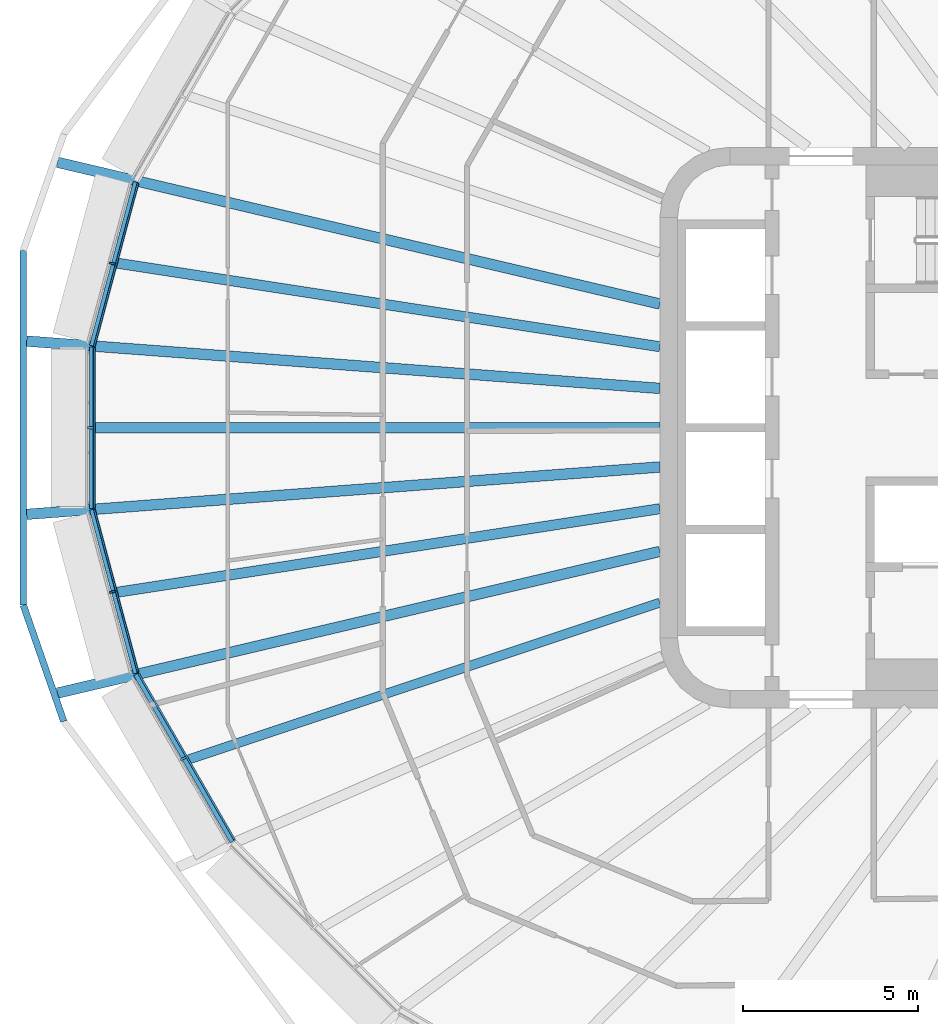
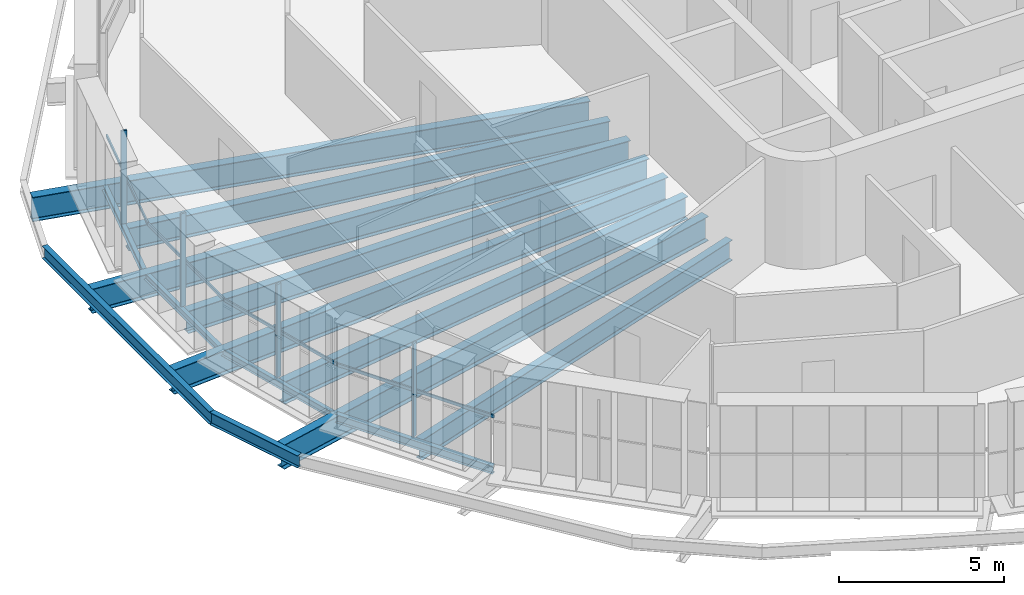
# One storey, part 2 of 23: 14 beams, 8 members, 4 elements without a shape of their own.
"""IFC4 building model written with IfcOpenShell, lengths in metres."""

from ifc_helpers import new_model, si_unit, direction, frame, origin, origin_2d, place, context, subcontext, project, spatial, rectangle, i_section, extrude, material, layer, layer_set, material_profile, profile_set, type_object, element, aggregate, save


model = new_model("IFC4")

# Units and contexts
model_context = context("Model", 3, precision=1e-05, world=origin(), true_north=direction((0.0, 1.0)))
body_context = subcontext(model_context, "Body", "Model", "MODEL_VIEW")
ifc_project = project(units=[si_unit("LENGTHUNIT", "METRE"), si_unit("AREAUNIT", "SQUARE_METRE"), si_unit("VOLUMEUNIT", "CUBIC_METRE"), si_unit("PLANEANGLEUNIT", "RADIAN"), si_unit("MASSUNIT", "GRAM", prefix="KILO")], contexts=[model_context])

# Site, building, storey
site_placement = place(None, origin())
site = spatial("IfcSite", under=ifc_project, at=site_placement, CompositionType="ELEMENT")
building_placement = place(site_placement, origin())
building = spatial("IfcBuilding", under=site, at=building_placement, Name="Sahrelin Media Tower", CompositionType="ELEMENT")
storey_placement = place(building_placement, frame((0.0, 0.0, 161.60009765625)))
storey = spatial("IfcBuildingStorey", under=building, at=storey_placement, Name="L33", CompositionType="ELEMENT", Elevation=161.60009765625)

# Beams
ifc_material_1 = material(Name="Steel S355", Category="steel")
ifc_material_profile_1 = material_profile(ifc_material_1, i_section(OverallWidth=0.14599609375, OverallDepth=0.25146484375, WebThickness=0.006103515625, FlangeThickness=0.008544921875, FilletRadius=0.007568359375, at=origin_2d()), Name="UB 254x146x31")
ifc_profile_set_1 = profile_set([ifc_material_profile_1], Name="Steel S355")
beam_type_1 = type_object("IfcBeamType", Name="Edge beam EB1", PredefinedType="BEAM", material=ifc_profile_set_1)
beam_1_placement = place(storey_placement, frame((-29.947265625, -7.004638671875, -0.27587890625), z_axis=(-0.258800908736, 0.965930685731, 0.0), x_axis=(-0.965930685731, -0.258800908736, 0.0)))
element("IfcBeam", 1, at=beam_1_placement, inside=storey, type_object=beam_type_1, Name="Edge beam L33-12", PredefinedType="BEAM", context=body_context, shape_type="SweptSolid", body=[
    extrude(i_section(OverallWidth=0.14599609375, OverallDepth=0.25146484375, WebThickness=0.006103515625, FlangeThickness=0.008544921875, FilletRadius=0.007568359375, at=origin_2d()), origin(), (0.0, 0.0, 1.0), 4.831787109375),
])
beam_2_placement = place(storey_placement, frame((-31.201416015625, -2.30859375, -0.27587890625), z_axis=(0.0, 1.0, 0.0), x_axis=(-1.0, 0.0, 0.0)))
element("IfcBeam", 2, at=beam_2_placement, inside=storey, type_object=beam_type_1, Name="Edge beam L33-13", PredefinedType="BEAM", context=body_context, shape_type="SweptSolid", body=[
    extrude(i_section(OverallWidth=0.14599609375, OverallDepth=0.25146484375, WebThickness=0.006103515625, FlangeThickness=0.008544921875, FilletRadius=0.007568359375, at=origin_2d()), origin(), (0.0, 0.0, 1.0), 4.6171875),
])
beam_3_placement = place(storey_placement, frame((-31.19775390625, 2.33740234375, -0.27587890625), z_axis=(0.258800908736, 0.965930685731, 0.0), x_axis=(-0.965930685731, 0.258800908736, 0.0)))
element("IfcBeam", 3, at=beam_3_placement, inside=storey, type_object=beam_type_1, Name="Edge beam L33-14", PredefinedType="BEAM", context=body_context, shape_type="SweptSolid", body=[
    extrude(i_section(OverallWidth=0.14599609375, OverallDepth=0.25146484375, WebThickness=0.006103515625, FlangeThickness=0.008544921875, FilletRadius=0.007568359375, at=origin_2d()), origin(), (0.0, 0.0, 1.0), 4.831787109375),
])
ifc_material_profile_2 = material_profile(ifc_material_1, i_section(OverallWidth=0.1650390625, OverallDepth=0.303466796875, WebThickness=0.006103515625, FlangeThickness=0.01025390625, FilletRadius=0.0087890625, at=origin_2d()), Name="UB 305x165x40")
ifc_profile_set_2 = profile_set([ifc_material_profile_2], Name="Steel S355")
beam_type_2 = type_object("IfcBeamType", Name="Edge beam EB2", PredefinedType="BEAM", material=ifc_profile_set_2)
beam_4_placement = place(storey_placement, frame((-27.1826171875, -11.80078125, -0.3017578125), z_axis=(-0.499996181239, 0.866027608536, 0.0), x_axis=(-0.866027608536, -0.499996181239, 0.0)))
element("IfcBeam", 4, at=beam_4_placement, inside=storey, type_object=beam_type_2, Name="Edge beam L33-11", PredefinedType="BEAM", context=body_context, shape_type="SweptSolid", body=[
    extrude(i_section(OverallWidth=0.1650390625, OverallDepth=0.303466796875, WebThickness=0.006103515625, FlangeThickness=0.01025390625, FilletRadius=0.0087890625, at=origin_2d()), origin(), (0.0, 0.0, 1.0), 5.50732421875),
])

# Curtain wall, member
ifc_material_2 = material(Name="Champagne anodised aluminium 6063-T6", Category="aluminium")
ifc_layer = layer(ifc_material_2, 0.14990234375)
ifc_layer_set = layer_set([ifc_layer], Name="Tower ribbon curtain wall")
curtain_wall_type = type_object("IfcCurtainWallType", Name="Tower ribbon curtain wall", PredefinedType="NOTDEFINED", material=ifc_layer_set)
curtain_wall_1_placement = place(storey_placement, frame((-30.71728515625, 4.709716796875, 0.0), z_axis=(0.0, 0.0, 1.0), x_axis=(1.0, 0.0, 0.0)))
curtain_wall_1 = element("IfcCurtainWall", 5, at=curtain_wall_1_placement, inside=storey, type_object=curtain_wall_type, Name="L33:CW:L33-11", PredefinedType="NOTDEFINED")
ifc_material_profile_3 = material_profile(ifc_material_2, rectangle(XDim=0.06005859375, YDim=0.175048828125, at=origin_2d()), Name="Mullion 60x175")
ifc_profile_set_3 = profile_set([ifc_material_profile_3], Name="Champagne anodised aluminium 6063-T6")
member_type_1 = type_object("IfcMemberType", Name="Mullion 60x175 CW1B", PredefinedType="MULLION", material=ifc_profile_set_3)
member_1_placement = place(storey_placement, frame((-30.613525390625, 4.681884765625, 0.0), z_axis=(0.0, 0.0, 1.0), x_axis=(-0.258807244073, -0.965928988288, 0.0)))
member_1 = element("IfcMember", 6, at=member_1_placement, type_object=member_type_1, Name="L33:CWM:L33-11", PredefinedType="MULLION", context=body_context, shape_type="SweptSolid", body=[
    extrude(rectangle(XDim=0.06005859375, YDim=0.175048828125, at=origin_2d()), origin(), (0.0, 0.0, 1.0), 3.448486328125),
])

curtain_wall_2_placement = place(storey_placement, frame((-31.3515625, 0.0, 0.0), z_axis=(0.0, 0.0, 1.0), x_axis=(1.0, 0.0, 0.0)))
curtain_wall_2 = element("IfcCurtainWall", 7, at=curtain_wall_2_placement, inside=storey, type_object=curtain_wall_type, Name="L33:CW:L33-12", PredefinedType="NOTDEFINED")
member_2_placement = place(storey_placement, frame((-31.243896484375, 0.0, 0.0), z_axis=(0.0, 0.0, 1.0), x_axis=(0.0, -1.0, 0.0)))
member_2 = element("IfcMember", 8, at=member_2_placement, type_object=member_type_1, Name="L33:CWM:L33-12", PredefinedType="MULLION", context=body_context, shape_type="SweptSolid", body=[
    extrude(rectangle(XDim=0.06005859375, YDim=0.175048828125, at=origin_2d()), origin(), (0.0, 0.0, 1.0), 3.448486328125),
])

curtain_wall_3_placement = place(storey_placement, frame((-30.71728515625, -4.709716796875, 0.0), z_axis=(0.0, 0.0, 1.0), x_axis=(1.0, 0.0, 0.0)))
curtain_wall_3 = element("IfcCurtainWall", 9, at=curtain_wall_3_placement, inside=storey, type_object=curtain_wall_type, Name="L33:CW:L33-13", PredefinedType="NOTDEFINED")
member_3_placement = place(storey_placement, frame((-30.613525390625, -4.681884765625, 0.0), z_axis=(0.0, 0.0, 1.0), x_axis=(0.258807244073, -0.965928988288, 0.0)))
member_3 = element("IfcMember", 10, at=member_3_placement, type_object=member_type_1, Name="L33:CWM:L33-13", PredefinedType="MULLION", context=body_context, shape_type="SweptSolid", body=[
    extrude(rectangle(XDim=0.06005859375, YDim=0.175048828125, at=origin_2d()), origin(), (0.0, 0.0, 1.0), 3.448486328125),
])

curtain_wall_4_placement = place(storey_placement, frame((-28.689208984375, -9.490966796875, 0.0), z_axis=(0.0, 0.0, 1.0), x_axis=(1.0, 0.0, 0.0)))
curtain_wall_4 = element("IfcCurtainWall", 11, at=curtain_wall_4_placement, inside=storey, type_object=curtain_wall_type, Name="L33:CW:L33-14", PredefinedType="NOTDEFINED")
member_4_placement = place(storey_placement, frame((-28.59619140625, -9.437255859375, 0.0), z_axis=(0.0, 0.0, 1.0), x_axis=(0.4999984885, -0.866026276448, 0.0)))
member_4 = element("IfcMember", 12, at=member_4_placement, type_object=member_type_1, Name="L33:CWM:L33-14", PredefinedType="MULLION", context=body_context, shape_type="SweptSolid", body=[
    extrude(rectangle(XDim=0.06005859375, YDim=0.175048828125, at=origin_2d()), origin(), (0.0, 0.0, 1.0), 3.448486328125),
])

# Beams
ifc_material_profile_4 = material_profile(ifc_material_1, i_section(OverallWidth=0.30322265625, OverallDepth=0.903076171875, WebThickness=0.01513671875, FlangeThickness=0.020263671875, FilletRadius=0.01904296875, at=origin_2d()), Name="UB 914x305x201")
ifc_profile_set_4 = profile_set([ifc_material_profile_4], Name="Steel S355")
beam_type_3 = type_object("IfcBeamType", Name="Radial primary beam PB11", PredefinedType="BEAM", material=ifc_profile_set_4)
beam_5_placement = place(storey_placement, frame((-15.0, 3.528564453125, -0.6015625), z_axis=(-0.97342895828, 0.228989220665, 0.0), x_axis=(-0.228989220665, -0.97342895828, 0.0)))
element("IfcBeam", 13, at=beam_5_placement, inside=storey, type_object=beam_type_3, Name="Radial beam L33-11", PredefinedType="BEAM", context=body_context, shape_type="SweptSolid", body=[
    extrude(i_section(OverallWidth=0.30322265625, OverallDepth=0.903076171875, WebThickness=0.01513671875, FlangeThickness=0.020263671875, FilletRadius=0.01904296875, at=origin_2d()), origin(), (0.0, 0.0, 1.0), 17.650390625),
])
for number, where, z_axis, x_axis, name in (
    (14, (-15.0, 1.12109375, -0.6015625), (-0.997219506704, 0.074520168071, 0.0), (-0.074520168071, -0.997219506704, 0.0), "Radial beam L33-12"),
    (15, (-15.0, -1.12109375, -0.6015625), (-0.997219506704, -0.074520168071, 0.0), (0.074520168071, -0.997219506704, 0.0), "Radial beam L33-13"),
):
    element("IfcBeam", number, at=place(storey_placement, frame(where, z_axis=z_axis, x_axis=x_axis)), inside=storey, type_object=beam_type_3, Name=name, PredefinedType="BEAM", context=body_context, shape_type="SweptSolid", body=[
        extrude(i_section(OverallWidth=0.30322265625, OverallDepth=0.903076171875, WebThickness=0.01513671875, FlangeThickness=0.020263671875, FilletRadius=0.01904296875, at=origin_2d()), origin(), (0.0, 0.0, 1.0), 18.110595703125),
    ])
beam_6_placement = place(storey_placement, frame((-15.0, -3.528564453125, -0.6015625), z_axis=(-0.97342895828, -0.228989220665, 0.0), x_axis=(0.228989220665, -0.97342895828, 0.0)))
element("IfcBeam", 16, at=beam_6_placement, inside=storey, type_object=beam_type_3, Name="Radial beam L33-14", PredefinedType="BEAM", context=body_context, shape_type="SweptSolid", body=[
    extrude(i_section(OverallWidth=0.30322265625, OverallDepth=0.903076171875, WebThickness=0.01513671875, FlangeThickness=0.020263671875, FilletRadius=0.01904296875, at=origin_2d()), origin(), (0.0, 0.0, 1.0), 17.650390625),
])
ifc_material_profile_5 = material_profile(ifc_material_1, i_section(OverallWidth=0.291748046875, OverallDepth=0.8349609375, WebThickness=0.013916015625, FlangeThickness=0.018798828125, FilletRadius=0.017822265625, at=origin_2d()), Name="UB 838x292x176")
ifc_profile_set_5 = profile_set([ifc_material_profile_5], Name="Steel S355")
beam_type_4 = type_object("IfcBeamType", Name="Radial secondary beam SB10", PredefinedType="BEAM", material=ifc_profile_set_5)
beam_7_placement = place(storey_placement, frame((-15.0, 2.310302734375, -0.567626953125), z_axis=(-0.988348454864, 0.152208185611, 0.0), x_axis=(-0.152208185611, -0.988348454864, 0.0)))
element("IfcBeam", 17, at=beam_7_placement, inside=storey, type_object=beam_type_4, Name="Secondary beam L33-11", PredefinedType="BEAM", context=body_context, shape_type="SweptSolid", body=[
    extrude(i_section(OverallWidth=0.291748046875, OverallDepth=0.8349609375, WebThickness=0.013916015625, FlangeThickness=0.018798828125, FilletRadius=0.017822265625, at=origin_2d()), origin(), (0.0, 0.0, 1.0), 15.672607421875),
])
beam_8_placement = place(storey_placement, frame((-15.0, 0.0, -0.567626953125), z_axis=(-1.0, 0.0, 0.0), x_axis=(0.0, -1.0, 0.0)))
element("IfcBeam", 18, at=beam_8_placement, inside=storey, type_object=beam_type_4, Name="Secondary beam L33-12", PredefinedType="BEAM", context=body_context, shape_type="SweptSolid", body=[
    extrude(i_section(OverallWidth=0.291748046875, OverallDepth=0.8349609375, WebThickness=0.013916015625, FlangeThickness=0.018798828125, FilletRadius=0.017822265625, at=origin_2d()), origin(), (0.0, 0.0, 1.0), 16.12841796875),
])
beam_9_placement = place(storey_placement, frame((-15.0, -2.310302734375, -0.567626953125), z_axis=(-0.988348454864, -0.152208185611, 0.0), x_axis=(0.152208185611, -0.988348454864, 0.0)))
element("IfcBeam", 19, at=beam_9_placement, inside=storey, type_object=beam_type_4, Name="Secondary beam L33-13", PredefinedType="BEAM", context=body_context, shape_type="SweptSolid", body=[
    extrude(i_section(OverallWidth=0.291748046875, OverallDepth=0.8349609375, WebThickness=0.013916015625, FlangeThickness=0.018798828125, FilletRadius=0.017822265625, at=origin_2d()), origin(), (0.0, 0.0, 1.0), 15.672607421875),
])
ifc_material_profile_6 = material_profile(ifc_material_1, i_section(OverallWidth=0.26513671875, OverallDepth=0.75390625, WebThickness=0.0126953125, FlangeThickness=0.017578125, FilletRadius=0.0166015625, at=origin_2d()), Name="UB 762x267x147")
ifc_profile_set_6 = profile_set([ifc_material_profile_6], Name="Steel S355")
beam_type_5 = type_object("IfcBeamType", Name="Radial secondary beam SB9", PredefinedType="BEAM", material=ifc_profile_set_6)
beam_10_placement = place(storey_placement, frame((-15.0, -4.990234375, -0.527099609375), z_axis=(-0.948867590332, -0.315674351219, 0.0), x_axis=(0.315674351219, -0.948867590332, 0.0)))
element("IfcBeam", 20, at=beam_10_placement, inside=storey, type_object=beam_type_5, Name="Secondary beam L33-14", PredefinedType="BEAM", context=body_context, shape_type="SweptSolid", body=[
    extrude(i_section(OverallWidth=0.26513671875, OverallDepth=0.75390625, WebThickness=0.0126953125, FlangeThickness=0.017578125, FilletRadius=0.0166015625, at=origin_2d()), origin(), (0.0, 0.0, 1.0), 14.162353515625),
])
ifc_material_profile_7 = material_profile(ifc_material_1, i_section(OverallWidth=0.1904296875, OverallDepth=0.45703125, WebThickness=0.009033203125, FlangeThickness=0.014404296875, FilletRadius=0.01025390625, at=origin_2d()), Name="UB 457x191x74")
ifc_profile_set_7 = profile_set([ifc_material_profile_7], Name="Steel S355")
beam_type_6 = type_object("IfcBeamType", Name="Tie chord TC5", PredefinedType="BEAM", material=ifc_profile_set_7)
beam_11_placement = place(storey_placement, frame((-33.155517578125, 5.0615234375, -0.378662109375), z_axis=(0.0, -1.0, 0.0), x_axis=(1.0, 0.0, 0.0)))
element("IfcBeam", 21, at=beam_11_placement, inside=storey, type_object=beam_type_6, Name="Tie chord L33-12", PredefinedType="BEAM", context=body_context, shape_type="SweptSolid", body=[
    extrude(i_section(OverallWidth=0.1904296875, OverallDepth=0.45703125, WebThickness=0.009033203125, FlangeThickness=0.014404296875, FilletRadius=0.01025390625, at=origin_2d()), origin(), (0.0, 0.0, 1.0), 10.123046875),
])
beam_12_placement = place(storey_placement, frame((-33.155517578125, -5.0615234375, -0.378662109375), z_axis=(0.328720253027, -0.944427337199, 0.0), x_axis=(0.944427337199, 0.328720253027, 0.0)))
element("IfcBeam", 22, at=beam_12_placement, inside=storey, type_object=beam_type_6, Name="Tie chord L33-13", PredefinedType="BEAM", context=body_context, shape_type="SweptSolid", body=[
    extrude(i_section(OverallWidth=0.1904296875, OverallDepth=0.45703125, WebThickness=0.009033203125, FlangeThickness=0.014404296875, FilletRadius=0.01025390625, at=origin_2d()), origin(), (0.0, 0.0, 1.0), 3.510009765625),
])

# Member
ifc_material_profile_8 = material_profile(ifc_material_2, rectangle(XDim=0.050048828125, YDim=0.110107421875, at=origin_2d()), Name="Transom 50x110")
ifc_profile_set_8 = profile_set([ifc_material_profile_8], Name="Champagne anodised aluminium 6063-T6")
member_type_2 = type_object("IfcMemberType", Name="Transom 50x110 CW1B", PredefinedType="USERDEFINED", material=ifc_profile_set_8)
member_5_placement = place(storey_placement, frame((-29.883544921875, 6.971435546875, 1.599853515625), z_axis=(-0.25885894947, -0.965915133063, 0.0), x_axis=(0.965915133063, -0.25885894947, 0.0)))
member_5 = element("IfcMember", 23, at=member_5_placement, type_object=member_type_2, Name="L33:CWT:L33-11", ObjectType="TRANSOM", PredefinedType="USERDEFINED", context=body_context, shape_type="SweptSolid", body=[
    extrude(rectangle(XDim=0.050048828125, YDim=0.110107421875, at=origin_2d()), origin(), (0.0, 0.0, 1.0), 4.800537109375),
])

aggregate(curtain_wall_1, [member_1, member_5])

member_6_placement = place(storey_placement, frame((-31.131591796875, 2.29296875, 1.599853515625), z_axis=(0.0, -1.0, 0.0), x_axis=(1.0, 0.0, 0.0)))
member_6 = element("IfcMember", 24, at=member_6_placement, type_object=member_type_2, Name="L33:CWT:L33-12", ObjectType="TRANSOM", PredefinedType="USERDEFINED", context=body_context, shape_type="SweptSolid", body=[
    extrude(rectangle(XDim=0.050048828125, YDim=0.110107421875, at=origin_2d()), origin(), (0.0, 0.0, 1.0), 4.5859375),
])

aggregate(curtain_wall_2, [member_2, member_6])

member_7_placement = place(storey_placement, frame((-31.126220703125, -2.33447265625, 1.599853515625), z_axis=(0.25885894947, -0.965915133063, 0.0), x_axis=(0.965915133063, 0.25885894947, 0.0)))
member_7 = element("IfcMember", 25, at=member_7_placement, type_object=member_type_2, Name="L33:CWT:L33-13", ObjectType="TRANSOM", PredefinedType="USERDEFINED", context=body_context, shape_type="SweptSolid", body=[
    extrude(rectangle(XDim=0.050048828125, YDim=0.110107421875, at=origin_2d()), origin(), (0.0, 0.0, 1.0), 4.800537109375),
])

aggregate(curtain_wall_3, [member_3, member_7])

member_8_placement = place(storey_placement, frame((-29.86767578125, -7.010009765625, 1.599853515625), z_axis=(0.49998489776, -0.866034122891, 0.0), x_axis=(0.866034122891, 0.49998489776, 0.0)))
member_8 = element("IfcMember", 26, at=member_8_placement, type_object=member_type_2, Name="L33:CWT:L33-14", ObjectType="TRANSOM", PredefinedType="USERDEFINED", context=body_context, shape_type="SweptSolid", body=[
    extrude(rectangle(XDim=0.050048828125, YDim=0.110107421875, at=origin_2d()), origin(), (0.0, 0.0, 1.0), 5.475830078125),
])

aggregate(curtain_wall_4, [member_4, member_8])

save(model, "model.ifc")
